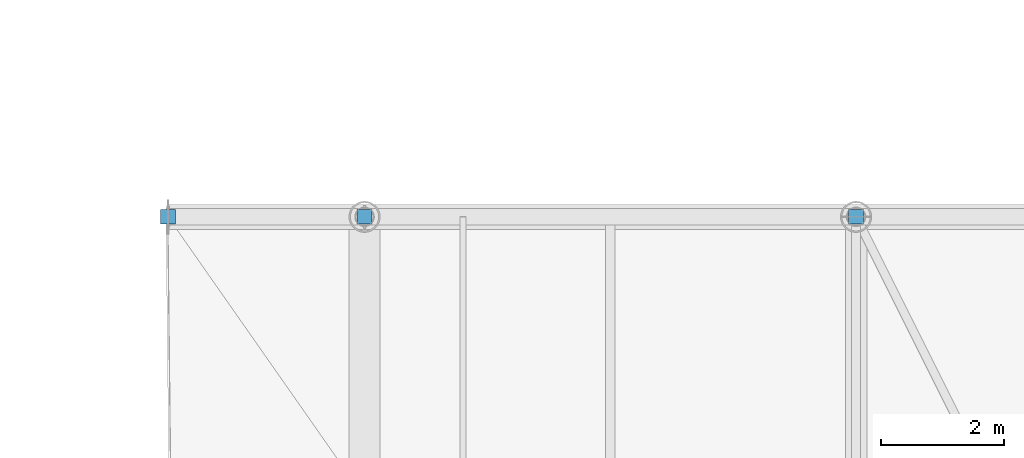
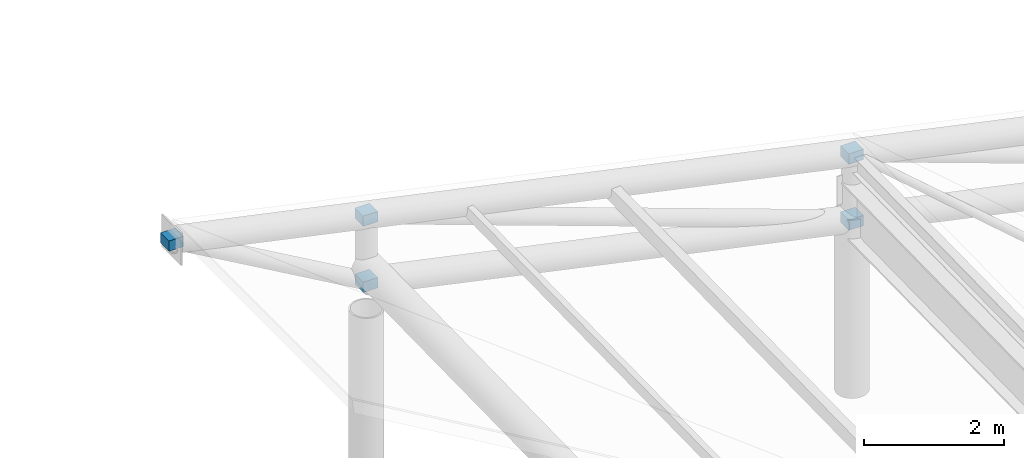
# One storey, part 37 of 41: 5 discrete accessories.
"""IFC4 building model written with IfcOpenShell, lengths in metres."""

from ifc_helpers import new_model, si_unit, direction, frame, origin, origin_2d, place, context, subcontext, project, spatial, rectangle, extrude, material, layer, layer_set, type_object, element, save


model = new_model("IFC4")

# Units and contexts
model_context = context("Model", 3, precision=1e-05, world=origin(), true_north=direction((0.0, 1.0)))
body_context = subcontext(model_context, "Body", "Model", "MODEL_VIEW")
ifc_project = project(units=[si_unit("LENGTHUNIT", "METRE"), si_unit("AREAUNIT", "SQUARE_METRE"), si_unit("VOLUMEUNIT", "CUBIC_METRE"), si_unit("PLANEANGLEUNIT", "RADIAN"), si_unit("MASSUNIT", "GRAM", prefix="KILO")], contexts=[model_context])

# Site, building, storey
site_placement = place(None, origin())
site = spatial("IfcSite", under=ifc_project, at=site_placement, CompositionType="ELEMENT")
building_placement = place(site_placement, origin())
building = spatial("IfcBuilding", under=site, at=building_placement, Name="Haebicheon Civic Stadium", CompositionType="ELEMENT")
storey_placement = place(building_placement, frame((0.0, 0.0, 27.0)))
storey = spatial("IfcBuildingStorey", under=building, at=storey_placement, Name="L07", CompositionType="ELEMENT", Elevation=27.0)

# Discrete accessories
ifc_material = material(Name="White painted steel SM490", Category="steel")
ifc_layer = layer(ifc_material, 0.179931640625, Name="White painted steel SM490")
ifc_layer_set = layer_set([ifc_layer], Name="White painted steel SM490")
discrete_accessory_type = type_object("IfcDiscreteAccessoryType", Name="BRK-END-PLT", PredefinedType="BRACKET", material=ifc_layer_set)
for number, where, z_axis, x_axis, name in (
    (1, (144.0, 136.0, 2.8671875), (0.0, 0.0, 1.0), (1.0, 0.0, 0.0), "CAN-EAST truss 9 node bolted end connection plate"),
    (2, (144.0, 136.0, 4.01708984375), (0.0, 0.0, 1.0), (1.0, 0.0, 0.0), "CAN-EAST truss 9 node bolted end connection plate"),
    (3, (136.0, 136.0, 4.5869140625), (0.0, 0.0, 1.0), (1.0, 0.0, 0.0), "CAN-EAST truss 9 node bolted end connection plate"),
    (4, (136.0, 136.0, 5.73681640625), (0.0, 0.0, 1.0), (1.0, 0.0, 0.0), "CAN-EAST truss 9 node bolted end connection plate"),
    (5, (132.800048828125, 136.0, 6.4248046875), (0.0, 0.0, 1.0), (1.0, 0.0, 0.0), "CAN-EAST truss 9 node bolted end connection plate"),
):
    element("IfcDiscreteAccessory", number, at=place(storey_placement, frame(where, z_axis=z_axis, x_axis=x_axis)), inside=storey, type_object=discrete_accessory_type, material=ifc_layer_set, Name=name, PredefinedType="BRACKET", context=body_context, shape_type="SweptSolid", body=[
        extrude(rectangle(XDim=0.239990234375, YDim=0.239990234375, at=origin_2d()), origin(), (0.0, 0.0, 1.0), 0.179931640625),
    ])

save(model, "model.ifc")
